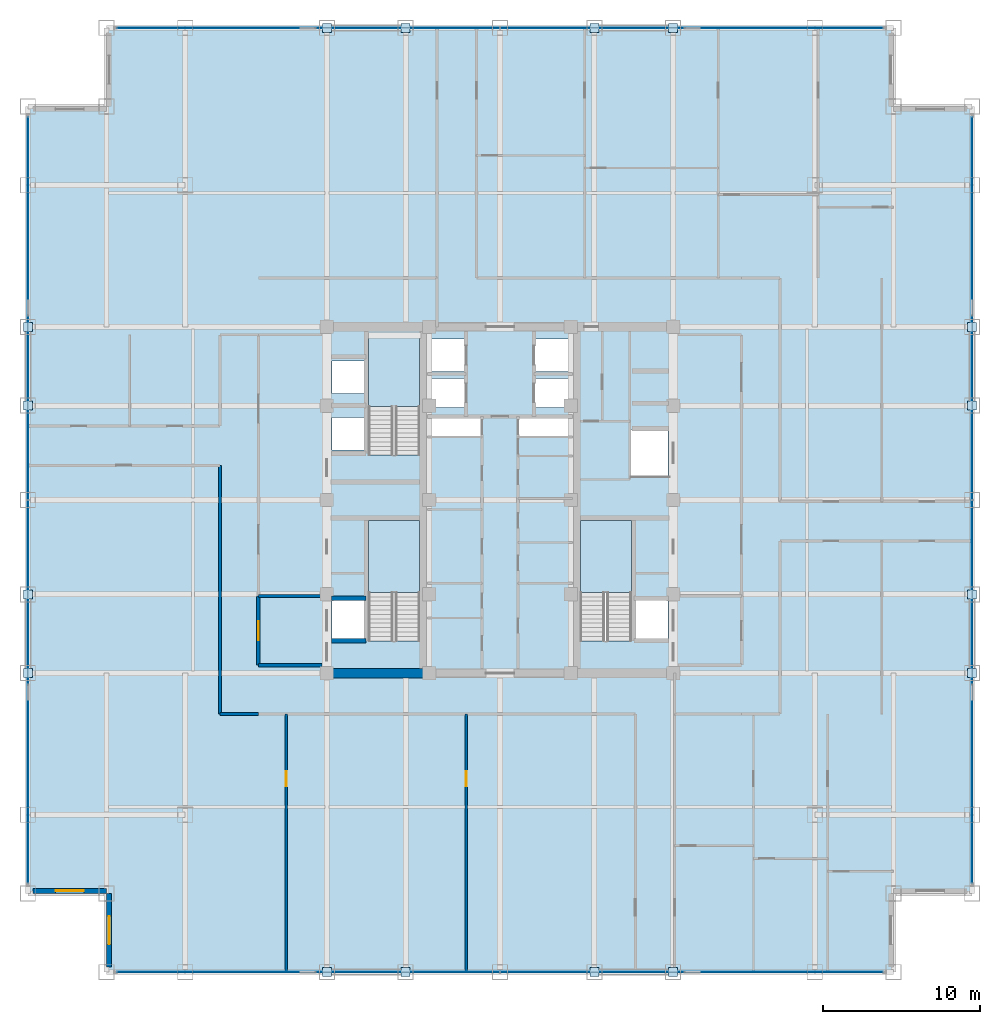
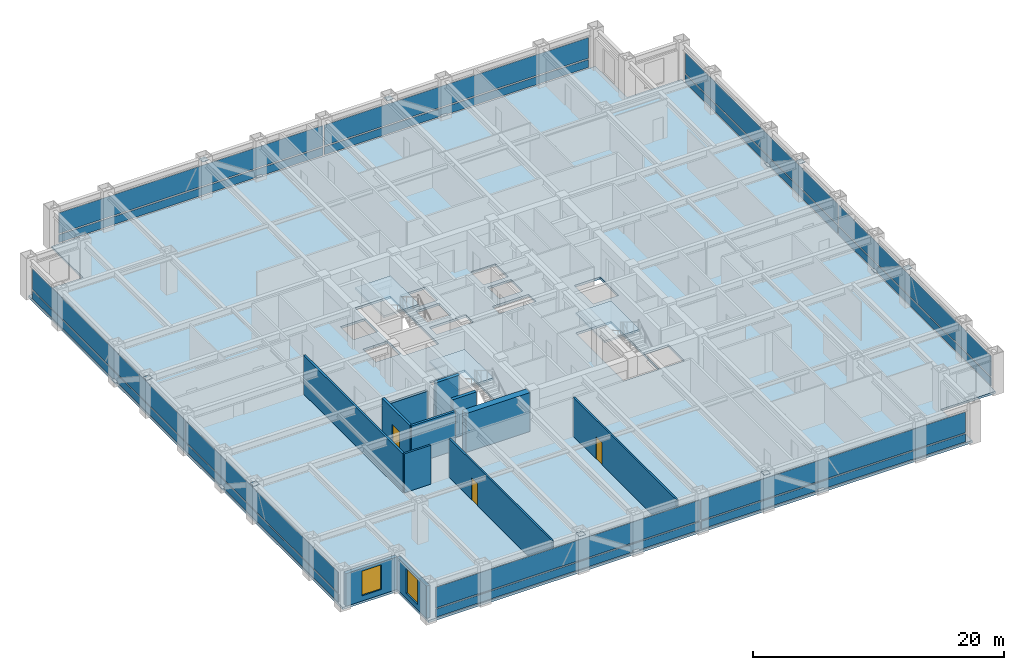
# One storey, part 19 of 25: 32 plates, 12 walls, 4 slabs, 3 doors, 2 windows, 5 openings, 7 elements without a shape of their own.
"""IFC4 building model written with IfcOpenShell, lengths in metres."""

from ifc_helpers import new_model, si_unit, direction, frame, frame_2d, origin, origin_2d, place, context, subcontext, project, spatial, polyline, rectangle, outline, extrude, source, transform, mapped, material, layer, layer_set, type_object, element, fill, aggregate, save


model = new_model("IFC4")

# Units and contexts
model_context = context("Model", 3, precision=1e-05, world=origin(), true_north=direction((0.0, 1.0)))
body_context = subcontext(model_context, "Body", "Model", "MODEL_VIEW")
ifc_project = project(units=[si_unit("LENGTHUNIT", "METRE"), si_unit("AREAUNIT", "SQUARE_METRE"), si_unit("VOLUMEUNIT", "CUBIC_METRE"), si_unit("PLANEANGLEUNIT", "RADIAN"), si_unit("MASSUNIT", "GRAM", prefix="KILO")], contexts=[model_context])

# Site, building, storey
site_placement = place(None, origin())
site = spatial("IfcSite", under=ifc_project, at=site_placement, CompositionType="ELEMENT")
building_placement = place(site_placement, origin())
building = spatial("IfcBuilding", under=site, at=building_placement, Name="Khorayat Bourse Tower", CompositionType="ELEMENT")
storey_placement = place(building_placement, frame((0.0, 0.0, 247.10009765625)))
storey = spatial("IfcBuildingStorey", under=building, at=storey_placement, Name="L58", CompositionType="ELEMENT", Elevation=247.10009765625)

# Stair, slab
ifc_material_1 = material(Name="Concrete C40/50", Category="concrete")
stair_type = type_object("IfcStairType", Name="STR-CORE-1550", PredefinedType="HALF_TURN_STAIR", material=ifc_material_1)
stair_1_placement = place(storey_placement, origin())
stair_1 = element("IfcStair", 1, at=stair_1_placement, inside=storey, type_object=stair_type, Name="L58 Exit Stair ST-1", PredefinedType="HALF_TURN_STAIR")
ifc_layer_1 = layer(ifc_material_1, 0.199951171875)
ifc_layer_set_1 = layer_set([ifc_layer_1], Name="Concrete C40/50")
slab_type_1 = type_object("IfcSlabType", Name="SLB-LANDING-200", PredefinedType="LANDING", material=ifc_layer_set_1)
slab_1_placement = place(storey_placement, frame((0.0, 0.0, 1.7998046875)))
slab_1 = element("IfcSlab", 2, at=slab_1_placement, type_object=slab_type_1, Name="ST-1 landing 1", PredefinedType="LANDING", context=body_context, shape_type="SweptSolid", body=[
    extrude(outline(polyline([(-5.10009765625, -5.8701171875), (-5.10009765625, -1.300048828125), (-8.35009765625, -1.300048828125), (-8.35009765625, -5.8701171875), (-5.10009765625, -5.8701171875)])), origin(), (0.0, 0.0, 1.0), 0.2001953125),
])
aggregate(stair_1, [slab_1])

stair_2_placement = place(storey_placement, origin())
stair_2 = element("IfcStair", 3, at=stair_2_placement, inside=storey, type_object=stair_type, Name="L58 Exit Stair ST-2", PredefinedType="HALF_TURN_STAIR")
slab_2_placement = place(storey_placement, frame((0.0, 0.0, 1.7998046875)))
slab_2 = element("IfcSlab", 4, at=slab_2_placement, type_object=slab_type_1, Name="ST-2 landing 1", PredefinedType="LANDING", context=body_context, shape_type="SweptSolid", body=[
    extrude(outline(polyline([(-5.10009765625, 5.929931640625), (-5.10009765625, 10.5), (-8.35009765625, 10.5), (-8.35009765625, 5.929931640625), (-5.10009765625, 5.929931640625)])), origin(), (0.0, 0.0, 1.0), 0.2001953125),
])
aggregate(stair_2, [slab_2])

stair_3_placement = place(storey_placement, origin())
stair_3 = element("IfcStair", 5, at=stair_3_placement, inside=storey, type_object=stair_type, Name="L58 Exit Stair ST-3", PredefinedType="HALF_TURN_STAIR")
slab_3_placement = place(storey_placement, frame((0.0, 0.0, 1.7998046875)))
slab_3 = element("IfcSlab", 6, at=slab_3_placement, type_object=slab_type_1, Name="ST-3 landing 1", PredefinedType="LANDING", context=body_context, shape_type="SweptSolid", body=[
    extrude(outline(polyline([(8.35009765625, -5.8701171875), (8.35009765625, -1.300048828125), (5.10009765625, -1.300048828125), (5.10009765625, -5.8701171875), (8.35009765625, -5.8701171875)])), origin(), (0.0, 0.0, 1.0), 0.2001953125),
])
aggregate(stair_3, [slab_3])

# Slab
ifc_layer_2 = layer(ifc_material_1, 0.219970703125)
ifc_layer_set_2 = layer_set([ifc_layer_2], Name="Concrete C40/50")
slab_type_2 = type_object("IfcSlabType", Name="SLB-OFFICE-220", PredefinedType="FLOOR", material=ifc_layer_set_2)
slab_4_placement = place(storey_placement, frame((0.0, 0.0, -0.22021484375)))
element("IfcSlab", 7, at=slab_4_placement, inside=storey, type_object=slab_type_2, Name="L58 Main Floor Slab", PredefinedType="FLOOR", context=body_context, shape_type="SweptSolid", body=[
    extrude(outline(polyline([(-25.0, -30.0), (25.0, -30.0), (25.0, -25.0), (30.0, -25.0), (30.0, 25.0), (25.0, 25.0), (25.0, 30.0), (-25.0, 30.0), (-25.0, 25.0), (-30.0, 25.0), (-30.0, -25.0), (-25.0, -25.0), (-25.0, -30.0)]), holes=[polyline([(-8.35009765625, -8.945068359375), (-5.10009765625, -8.945068359375), (-5.10009765625, -1.300048828125), (-8.35009765625, -1.300048828125), (-8.35009765625, -8.945068359375)]), polyline([(-8.35009765625, 2.85498046875), (-5.10009765625, 2.85498046875), (-5.10009765625, 10.5), (-8.35009765625, 10.5), (-8.35009765625, 2.85498046875)]), polyline([(5.10009765625, -8.945068359375), (8.35009765625, -8.945068359375), (8.35009765625, -1.300048828125), (5.10009765625, -1.300048828125), (5.10009765625, -8.945068359375)]), polyline([(-4.3798828125, 8.169921875), (-2.1201171875, 8.169921875), (-2.1201171875, 10.22998046875), (-4.3798828125, 10.22998046875), (-4.3798828125, 8.169921875)]), polyline([(2.1201171875, 8.169921875), (4.3798828125, 8.169921875), (4.3798828125, 10.22998046875), (2.1201171875, 10.22998046875), (2.1201171875, 8.169921875)]), polyline([(-4.3798828125, 5.8701171875), (-2.219970703125, 5.8701171875), (-2.219970703125, 7.72998046875), (-4.3798828125, 7.72998046875), (-4.3798828125, 5.8701171875)]), polyline([(2.219970703125, 5.8701171875), (4.3798828125, 5.8701171875), (4.3798828125, 7.72998046875), (2.219970703125, 7.72998046875), (2.219970703125, 5.8701171875)]), polyline([(-10.679931640625, 3.169921875), (-8.419921875, 3.169921875), (-8.419921875, 5.22998046875), (-10.679931640625, 5.22998046875), (-10.679931640625, 3.169921875)]), polyline([(-10.679931640625, 6.77001953125), (-8.419921875, 6.77001953125), (-8.419921875, 8.830078125), (-10.679931640625, 8.830078125), (-10.679931640625, 6.77001953125)]), polyline([(-10.679931640625, -8.929931640625), (-8.419921875, -8.929931640625), (-8.419921875, -6.3701171875), (-10.679931640625, -6.3701171875), (-10.679931640625, -8.929931640625)]), polyline([(8.419921875, -8.929931640625), (10.679931640625, -8.929931640625), (10.679931640625, -6.3701171875), (8.419921875, -6.3701171875), (8.419921875, -8.929931640625)]), polyline([(8.320068359375, 1.52001953125), (10.679931640625, 1.52001953125), (10.679931640625, 4.47998046875), (8.320068359375, 4.47998046875), (8.320068359375, 1.52001953125)]), polyline([(-4.56005859375, 4.080078125), (-1.18994140625, 4.080078125), (-1.18994140625, 5.219970703125), (-4.56005859375, 5.219970703125), (-4.56005859375, 4.080078125)]), polyline([(1.18994140625, 4.080078125), (4.56005859375, 4.080078125), (4.56005859375, 5.219970703125), (1.18994140625, 5.219970703125), (1.18994140625, 4.080078125)])]), origin(), (0.0, 0.0, 1.0), 0.22021484375),
])

# Plates
ifc_material_2 = material(Name="Steel EN 10025-2 S355J2", Category="steel")
ifc_layer_3 = layer(ifc_material_2, 0.02490234375)
ifc_layer_set_3 = layer_set([ifc_layer_3], Name="Steel EN 10025-2 S355J2")
plate_type_1 = type_object("IfcPlateType", Name="PLT-ENDCAP-25", PredefinedType="SHEET", material=ifc_layer_set_3)
shared_shape_1 = source(origin(), body_context, "Body", "SweptSolid", [
    extrude(rectangle(XDim=0.56005859375, YDim=0.56005859375, at=origin_2d()), origin(), (0.0, 0.0, 1.0), 0.02490234375),
])
for number, where, z_axis, x_axis, name in (
    (8, (-11.0, -30.0, 3.517333984375), (0.0, 0.0, 1.0), (1.0, 0.0, 0.0), "L58 Perimeter Brace End Plate 001"),
    (9, (-6.0, -30.0, 0.237548828125), (0.0, 0.0, 1.0), (1.0, 0.0, 0.0), "L58 Perimeter Brace End Plate 002"),
    (10, (6.0, -30.0, 3.517333984375), (0.0, 0.0, 1.0), (1.0, 0.0, 0.0), "L58 Perimeter Brace End Plate 003"),
    (11, (11.0, -30.0, 0.237548828125), (0.0, 0.0, 1.0), (1.0, 0.0, 0.0), "L58 Perimeter Brace End Plate 004"),
    (12, (-11.0, 30.0, 3.517333984375), (0.0, 0.0, 1.0), (1.0, 0.0, 0.0), "L58 Perimeter Brace End Plate 005"),
    (13, (-6.0, 30.0, 0.237548828125), (0.0, 0.0, 1.0), (1.0, 0.0, 0.0), "L58 Perimeter Brace End Plate 006"),
    (14, (6.0, 30.0, 3.517333984375), (0.0, 0.0, 1.0), (1.0, 0.0, 0.0), "L58 Perimeter Brace End Plate 007"),
    (15, (11.0, 30.0, 0.237548828125), (0.0, 0.0, 1.0), (1.0, 0.0, 0.0), "L58 Perimeter Brace End Plate 008"),
    (16, (-30.0, -11.0, 3.517333984375), (0.0, 0.0, 1.0), (1.0, 0.0, 0.0), "L58 Perimeter Brace End Plate 009"),
    (17, (-30.0, -6.0, 0.237548828125), (0.0, 0.0, 1.0), (1.0, 0.0, 0.0), "L58 Perimeter Brace End Plate 010"),
    (18, (-30.0, 6.0, 3.517333984375), (0.0, 0.0, 1.0), (1.0, 0.0, 0.0), "L58 Perimeter Brace End Plate 011"),
    (19, (-30.0, 11.0, 0.237548828125), (0.0, 0.0, 1.0), (1.0, 0.0, 0.0), "L58 Perimeter Brace End Plate 012"),
    (20, (30.0, -11.0, 3.517333984375), (0.0, 0.0, 1.0), (1.0, 0.0, 0.0), "L58 Perimeter Brace End Plate 013"),
    (21, (30.0, -6.0, 0.237548828125), (0.0, 0.0, 1.0), (1.0, 0.0, 0.0), "L58 Perimeter Brace End Plate 014"),
    (22, (30.0, 6.0, 3.517333984375), (0.0, 0.0, 1.0), (1.0, 0.0, 0.0), "L58 Perimeter Brace End Plate 015"),
    (23, (30.0, 11.0, 0.237548828125), (0.0, 0.0, 1.0), (1.0, 0.0, 0.0), "L58 Perimeter Brace End Plate 016"),
):
    element("IfcPlate", number, at=place(storey_placement, frame(where, z_axis=z_axis, x_axis=x_axis)), inside=storey, type_object=plate_type_1, Name=name, PredefinedType="SHEET", context=body_context, shape_type="MappedRepresentation", body=[
        mapped(shared_shape_1, transform((0.0, 0.0, 0.0), scale=1.0)),
    ])

# Curtain wall, plates
ifc_material_3 = material(Name="Aluminium EN AW-6063 T6", Category="aluminium")
curtain_wall_type = type_object("IfcCurtainWallType", Name="CW-SYS-03", PredefinedType="NOTDEFINED", material=ifc_material_3)
curtain_wall_1_placement = place(storey_placement, origin())
curtain_wall_1 = element("IfcCurtainWall", 24, at=curtain_wall_1_placement, inside=storey, type_object=curtain_wall_type, Name="L58 Curtain Wall CW-L58-S1", PredefinedType="NOTDEFINED")
ifc_material_4 = material(Name="Honed desert limestone insulated spandrel", Category="masonry")
ifc_layer_4 = layer(ifc_material_4, 0.06494140625)
ifc_layer_set_4 = layer_set([ifc_layer_4], Name="Honed desert limestone insulated spandrel")
plate_type_2 = type_object("IfcPlateType", Name="CWP-SPAND-03", PredefinedType="CURTAIN_PANEL", material=ifc_layer_set_4)
shared_shape_2 = source(origin(), body_context, "Body", "SweptSolid", [
    extrude(rectangle(XDim=24.27001953125, YDim=0.06494140625, at=origin_2d()), origin(), (0.0, 0.0, 1.0), 0.77001953125),
])
plate_1_placement = place(storey_placement, frame((-12.195068359375, -30.0, 0.119873046875), z_axis=(0.0, 0.0, 1.0), x_axis=(1.0, 0.0, 0.0)))
plate_1 = element("IfcPlate", 25, at=plate_1_placement, type_object=plate_type_2, Name="CW-L58-S1 Spandrel Panel 1-1", PredefinedType="CURTAIN_PANEL", context=body_context, shape_type="MappedRepresentation", body=[
    mapped(shared_shape_2, transform((0.0, 0.0, 0.0), scale=1.0)),
])
plate_2_placement = place(storey_placement, frame((12.195068359375, -30.0, 0.119873046875), z_axis=(0.0, 0.0, 1.0), x_axis=(1.0, 0.0, 0.0)))
plate_2 = element("IfcPlate", 26, at=plate_2_placement, type_object=plate_type_2, Name="CW-L58-S1 Spandrel Panel 2-1", PredefinedType="CURTAIN_PANEL", context=body_context, shape_type="MappedRepresentation", body=[
    mapped(shared_shape_2, transform((0.0, 0.0, 0.0), scale=1.0)),
])

curtain_wall_2_placement = place(storey_placement, origin())
curtain_wall_2 = element("IfcCurtainWall", 27, at=curtain_wall_2_placement, inside=storey, type_object=curtain_wall_type, Name="L58 Curtain Wall CW-L58-N1", PredefinedType="NOTDEFINED")
plate_3_placement = place(storey_placement, frame((-12.195068359375, 30.0, 0.119873046875), z_axis=(0.0, 0.0, 1.0), x_axis=(1.0, 0.0, 0.0)))
plate_3 = element("IfcPlate", 28, at=plate_3_placement, type_object=plate_type_2, Name="CW-L58-N1 Spandrel Panel 1-1", PredefinedType="CURTAIN_PANEL", context=body_context, shape_type="MappedRepresentation", body=[
    mapped(shared_shape_2, transform((0.0, 0.0, 0.0), scale=1.0)),
])
plate_4_placement = place(storey_placement, frame((12.195068359375, 30.0, 0.119873046875), z_axis=(0.0, 0.0, 1.0), x_axis=(1.0, 0.0, 0.0)))
plate_4 = element("IfcPlate", 29, at=plate_4_placement, type_object=plate_type_2, Name="CW-L58-N1 Spandrel Panel 2-1", PredefinedType="CURTAIN_PANEL", context=body_context, shape_type="MappedRepresentation", body=[
    mapped(shared_shape_2, transform((0.0, 0.0, 0.0), scale=1.0)),
])

curtain_wall_3_placement = place(storey_placement, origin())
curtain_wall_3 = element("IfcCurtainWall", 30, at=curtain_wall_3_placement, inside=storey, type_object=curtain_wall_type, Name="L58 Curtain Wall CW-L58-W1", PredefinedType="NOTDEFINED")
plate_5_placement = place(storey_placement, frame((-30.0, -12.195068359375, 0.119873046875), z_axis=(0.0, 0.0, 1.0), x_axis=(0.0, 1.0, 0.0)))
plate_5 = element("IfcPlate", 31, at=plate_5_placement, type_object=plate_type_2, Name="CW-L58-W1 Spandrel Panel 1-1", PredefinedType="CURTAIN_PANEL", context=body_context, shape_type="MappedRepresentation", body=[
    mapped(shared_shape_2, transform((0.0, 0.0, 0.0), scale=1.0)),
])
plate_6_placement = place(storey_placement, frame((-30.0, 12.195068359375, 0.119873046875), z_axis=(0.0, 0.0, 1.0), x_axis=(0.0, 1.0, 0.0)))
plate_6 = element("IfcPlate", 32, at=plate_6_placement, type_object=plate_type_2, Name="CW-L58-W1 Spandrel Panel 2-1", PredefinedType="CURTAIN_PANEL", context=body_context, shape_type="MappedRepresentation", body=[
    mapped(shared_shape_2, transform((0.0, 0.0, 0.0), scale=1.0)),
])

curtain_wall_4_placement = place(storey_placement, origin())
curtain_wall_4 = element("IfcCurtainWall", 33, at=curtain_wall_4_placement, inside=storey, type_object=curtain_wall_type, Name="L58 Curtain Wall CW-L58-E1", PredefinedType="NOTDEFINED")
plate_7_placement = place(storey_placement, frame((30.0, -12.195068359375, 0.119873046875), z_axis=(0.0, 0.0, 1.0), x_axis=(0.0, 1.0, 0.0)))
plate_7 = element("IfcPlate", 34, at=plate_7_placement, type_object=plate_type_2, Name="CW-L58-E1 Spandrel Panel 1-1", PredefinedType="CURTAIN_PANEL", context=body_context, shape_type="MappedRepresentation", body=[
    mapped(shared_shape_2, transform((0.0, 0.0, 0.0), scale=1.0)),
])
plate_8_placement = place(storey_placement, frame((30.0, 12.195068359375, 0.119873046875), z_axis=(0.0, 0.0, 1.0), x_axis=(0.0, 1.0, 0.0)))
plate_8 = element("IfcPlate", 35, at=plate_8_placement, type_object=plate_type_2, Name="CW-L58-E1 Spandrel Panel 2-1", PredefinedType="CURTAIN_PANEL", context=body_context, shape_type="MappedRepresentation", body=[
    mapped(shared_shape_2, transform((0.0, 0.0, 0.0), scale=1.0)),
])

# Plate
ifc_material_5 = material(Name="Low-E solar-control laminated double glazing", Category="glass")
ifc_layer_5 = layer(ifc_material_5, 0.035888671875)
ifc_layer_set_5 = layer_set([ifc_layer_5], Name="Low-E solar-control laminated double glazing")
plate_type_3 = type_object("IfcPlateType", Name="CWP-VIS-01", PredefinedType="CURTAIN_PANEL", material=ifc_layer_set_5)
shared_shape_3 = source(origin(), body_context, "Body", "SweptSolid", [
    extrude(rectangle(XDim=24.27001953125, YDim=0.035888671875, at=origin_2d()), origin(), (0.0, 0.0, 1.0), 2.0),
])
plate_9_placement = place(storey_placement, frame((-12.195068359375, -30.0, 1.010009765625), z_axis=(0.0, 0.0, 1.0), x_axis=(1.0, 0.0, 0.0)))
plate_9 = element("IfcPlate", 36, at=plate_9_placement, type_object=plate_type_3, Name="CW-L58-S1 Vision Panel 1-2", PredefinedType="CURTAIN_PANEL", context=body_context, shape_type="MappedRepresentation", body=[
    mapped(shared_shape_3, transform((0.0, 0.0, 0.0), scale=1.0)),
])

plate_10_placement = place(storey_placement, frame((12.195068359375, -30.0, 1.010009765625), z_axis=(0.0, 0.0, 1.0), x_axis=(1.0, 0.0, 0.0)))
plate_10 = element("IfcPlate", 37, at=plate_10_placement, type_object=plate_type_3, Name="CW-L58-S1 Vision Panel 2-2", PredefinedType="CURTAIN_PANEL", context=body_context, shape_type="MappedRepresentation", body=[
    mapped(shared_shape_3, transform((0.0, 0.0, 0.0), scale=1.0)),
])

aggregate(curtain_wall_1, [plate_1, plate_9, plate_2, plate_10])

plate_11_placement = place(storey_placement, frame((-12.195068359375, 30.0, 1.010009765625), z_axis=(0.0, 0.0, 1.0), x_axis=(1.0, 0.0, 0.0)))
plate_11 = element("IfcPlate", 38, at=plate_11_placement, type_object=plate_type_3, Name="CW-L58-N1 Vision Panel 1-2", PredefinedType="CURTAIN_PANEL", context=body_context, shape_type="MappedRepresentation", body=[
    mapped(shared_shape_3, transform((0.0, 0.0, 0.0), scale=1.0)),
])

plate_12_placement = place(storey_placement, frame((12.195068359375, 30.0, 1.010009765625), z_axis=(0.0, 0.0, 1.0), x_axis=(1.0, 0.0, 0.0)))
plate_12 = element("IfcPlate", 39, at=plate_12_placement, type_object=plate_type_3, Name="CW-L58-N1 Vision Panel 2-2", PredefinedType="CURTAIN_PANEL", context=body_context, shape_type="MappedRepresentation", body=[
    mapped(shared_shape_3, transform((0.0, 0.0, 0.0), scale=1.0)),
])

aggregate(curtain_wall_2, [plate_3, plate_11, plate_4, plate_12])

plate_13_placement = place(storey_placement, frame((-30.0, -12.195068359375, 1.010009765625), z_axis=(0.0, 0.0, 1.0), x_axis=(0.0, 1.0, 0.0)))
plate_13 = element("IfcPlate", 40, at=plate_13_placement, type_object=plate_type_3, Name="CW-L58-W1 Vision Panel 1-2", PredefinedType="CURTAIN_PANEL", context=body_context, shape_type="MappedRepresentation", body=[
    mapped(shared_shape_3, transform((0.0, 0.0, 0.0), scale=1.0)),
])

plate_14_placement = place(storey_placement, frame((-30.0, 12.195068359375, 1.010009765625), z_axis=(0.0, 0.0, 1.0), x_axis=(0.0, 1.0, 0.0)))
plate_14 = element("IfcPlate", 41, at=plate_14_placement, type_object=plate_type_3, Name="CW-L58-W1 Vision Panel 2-2", PredefinedType="CURTAIN_PANEL", context=body_context, shape_type="MappedRepresentation", body=[
    mapped(shared_shape_3, transform((0.0, 0.0, 0.0), scale=1.0)),
])

aggregate(curtain_wall_3, [plate_5, plate_13, plate_6, plate_14])

plate_15_placement = place(storey_placement, frame((30.0, -12.195068359375, 1.010009765625), z_axis=(0.0, 0.0, 1.0), x_axis=(0.0, 1.0, 0.0)))
plate_15 = element("IfcPlate", 42, at=plate_15_placement, type_object=plate_type_3, Name="CW-L58-E1 Vision Panel 1-2", PredefinedType="CURTAIN_PANEL", context=body_context, shape_type="MappedRepresentation", body=[
    mapped(shared_shape_3, transform((0.0, 0.0, 0.0), scale=1.0)),
])

plate_16_placement = place(storey_placement, frame((30.0, 12.195068359375, 1.010009765625), z_axis=(0.0, 0.0, 1.0), x_axis=(0.0, 1.0, 0.0)))
plate_16 = element("IfcPlate", 43, at=plate_16_placement, type_object=plate_type_3, Name="CW-L58-E1 Vision Panel 2-2", PredefinedType="CURTAIN_PANEL", context=body_context, shape_type="MappedRepresentation", body=[
    mapped(shared_shape_3, transform((0.0, 0.0, 0.0), scale=1.0)),
])

aggregate(curtain_wall_4, [plate_7, plate_15, plate_8, plate_16])

# Wall
ifc_material_6 = material(Name="Concrete C60/75", Category="concrete")
ifc_layer_6 = layer(ifc_material_6, 0.60009765625)
ifc_layer_set_6 = layer_set([ifc_layer_6], Name="Concrete C60/75")
wall_type_1 = type_object("IfcWallType", Name="WAL-CORE-600", PredefinedType="SHEAR", material=ifc_layer_set_6)
shared_shape_4 = source(origin(), body_context, "Body", "SweptSolid", [
    extrude(rectangle(XDim=5.89990234375, YDim=0.60009765625, at=frame_2d((2.949951171875, 0.0))), origin(), (0.0, 0.0, 1.0), 3.77978515625),
])
wall_1_placement = place(storey_placement, frame((-10.75, -11.0, 0.0), z_axis=(0.0, 0.0, 1.0), x_axis=(1.0, 0.0, 0.0)))
element("IfcWall", 44, at=wall_1_placement, inside=storey, type_object=wall_type_1, Name="L58 Core Shear Wall PIER-WS", PredefinedType="SHEAR", context=body_context, shape_type="MappedRepresentation", body=[
    mapped(shared_shape_4, transform((0.0, 0.0, 0.0), scale=1.0)),
])

# Wall, opening, window
ifc_material_7 = material(Name="Precast concrete C45/55", Category="concrete")
ifc_layer_7 = layer(ifc_material_7, 0.320068359375)
ifc_layer_set_7 = layer_set([ifc_layer_7], Name="Precast concrete C45/55")
wall_type_2 = type_object("IfcWallType", Name="WAL-EXT-STONE-320", PredefinedType="STANDARD", material=ifc_layer_set_7)
shared_shape_5 = source(origin(), body_context, "Body", "SweptSolid", [
    extrude(rectangle(XDim=4.679931640625, YDim=0.320068359375, at=frame_2d((2.33984375, 0.0))), origin(), (0.0, 0.0, 1.0), 3.163818359375),
])
wall_2_placement = place(storey_placement, frame((-25.0, -24.840087890625, 0.0), z_axis=(0.0, 0.0, 1.0), x_axis=(-1.0, 0.0, 0.0)))
wall_2 = element("IfcWall", 45, at=wall_2_placement, inside=storey, type_object=wall_type_2, Name="L58 Re-Entrant Notch Limestone Wall SW-H", PredefinedType="STANDARD", context=body_context, shape_type="MappedRepresentation", body=[
    mapped(shared_shape_5, transform((0.0, 0.0, 0.0), scale=1.0)),
])
shared_shape_6 = source(origin(), body_context, "Body", "SweptSolid", [
    extrude(rectangle(XDim=1.800048828125, YDim=2.39990234375, at=frame_2d((0.89990234375, 1.199951171875))), frame((0.0, 0.169921875, 0.0), z_axis=(0.0, -1.0, 0.0), x_axis=(1.0, 0.0, 0.0)), (0.0, 0.0, 1.0), 0.340087890625),
])
opening_1_placement = place(wall_2_placement, frame((1.43994140625, 0.0, 0.5)))
opening_1 = element("IfcOpeningElement", 46, at=opening_1_placement, cuts=wall_2, Name="Opening WN-04", PredefinedType="OPENING", context=body_context, shape_type="MappedRepresentation", body=[
    mapped(shared_shape_6, transform((0.0, 0.0, 0.0), scale=1.0)),
])
ifc_material_8 = material(Name="Low-E acoustic laminated double glazing", Category="glass")
window_type = type_object("IfcWindowType", Name="WIN-NOTCH-1800x2400", PartitioningType="SINGLE_PANEL", PredefinedType="WINDOW", material=ifc_material_8)
shared_shape_7 = source(origin(), body_context, "Body", "SweptSolid", [
    extrude(rectangle(XDim=1.800048828125, YDim=2.39990234375, at=frame_2d((0.89990234375, 1.199951171875))), frame((0.0, 0.030029296875, 0.0), z_axis=(0.0, -1.0, 0.0), x_axis=(1.0, 0.0, 0.0)), (0.0, 0.0, 1.0), 0.06005859375),
])
window_1_placement = place(opening_1_placement, origin())
window_1 = element("IfcWindow", 47, at=window_1_placement, inside=storey, type_object=window_type, Name="L58 Facade Window 1", OverallHeight=2.39990234375, OverallWidth=1.800048828125, PartitioningType="SINGLE_PANEL", PredefinedType="WINDOW", context=body_context, shape_type="MappedRepresentation", body=[
    mapped(shared_shape_7, transform((0.0, 0.0, 0.0), scale=1.0)),
])
fill(opening_1, window_1)

wall_3_placement = place(storey_placement, frame((-24.840087890625, -29.679931640625, 0.0), z_axis=(0.0, 0.0, 1.0), x_axis=(0.0, 1.0, 0.0)))
wall_3 = element("IfcWall", 48, at=wall_3_placement, inside=storey, type_object=wall_type_2, Name="L58 Re-Entrant Notch Limestone Wall SW-V", PredefinedType="STANDARD", context=body_context, shape_type="MappedRepresentation", body=[
    mapped(shared_shape_5, transform((0.0, 0.0, 0.0), scale=1.0)),
])
opening_2_placement = place(wall_3_placement, frame((1.43994140625, 0.0, 0.5)))
opening_2 = element("IfcOpeningElement", 49, at=opening_2_placement, cuts=wall_3, Name="Opening WN-04", PredefinedType="OPENING", context=body_context, shape_type="MappedRepresentation", body=[
    mapped(shared_shape_6, transform((0.0, 0.0, 0.0), scale=1.0)),
])
window_2_placement = place(opening_2_placement, origin())
window_2 = element("IfcWindow", 50, at=window_2_placement, inside=storey, type_object=window_type, Name="L58 Facade Window 1", OverallHeight=2.39990234375, OverallWidth=1.800048828125, PartitioningType="SINGLE_PANEL", PredefinedType="WINDOW", context=body_context, shape_type="MappedRepresentation", body=[
    mapped(shared_shape_7, transform((0.0, 0.0, 0.0), scale=1.0)),
])
fill(opening_2, window_2)

# Walls
ifc_material_9 = material(Name="Aerated concrete blockwork", Category="masonry")
ifc_layer_8 = layer(ifc_material_9, 0.219970703125)
ifc_layer_set_8 = layer_set([ifc_layer_8], Name="Aerated concrete blockwork")
wall_type_3 = type_object("IfcWallType", Name="WAL-PART-FF-220", PredefinedType="PARTITIONING", material=ifc_layer_set_8)
shared_shape_8 = source(origin(), body_context, "Body", "SweptSolid", [
    extrude(rectangle(XDim=4.050048828125, YDim=0.219970703125, at=frame_2d((2.02490234375, 0.0))), origin(), (0.0, 0.0, 1.0), 3.0849609375),
])
wall_4_placement = place(storey_placement, frame((-15.35009765625, -6.10009765625, 0.0), z_axis=(0.0, 0.0, 1.0), x_axis=(1.0, 0.0, 0.0)))
element("IfcWall", 51, at=wall_4_placement, inside=storey, type_object=wall_type_3, Name="L58 Partition WAL-L58-FFLW-N", PredefinedType="PARTITIONING", context=body_context, shape_type="MappedRepresentation", body=[
    mapped(shared_shape_8, transform((0.0, 0.0, 0.0), scale=1.0)),
])
ifc_material_10 = material(Name="Concrete C50/60", Category="concrete")
ifc_layer_9 = layer(ifc_material_10, 0.300048828125)
ifc_layer_set_9 = layer_set([ifc_layer_9], Name="Concrete C50/60")
wall_type_4 = type_object("IfcWallType", Name="WAL-SHAFT-300", PredefinedType="SHEAR", material=ifc_layer_set_9)
shared_shape_9 = source(origin(), body_context, "Body", "SweptSolid", [
    extrude(rectangle(XDim=2.199951171875, YDim=0.300048828125, at=frame_2d((1.10009765625, 0.0))), origin(), (0.0, 0.0, 1.0), 3.77978515625),
])
for number, where, z_axis, x_axis, name in (
    (52, (-10.699951171875, -8.949951171875, 0.0), (0.0, 0.0, 1.0), (1.0, 0.0, 0.0), "L58 Partition WAL-L58-WPIER-FF1S"),
    (53, (-10.699951171875, -6.25, 0.0), (0.0, 0.0, 1.0), (1.0, 0.0, 0.0), "L58 Partition WAL-L58-WPIER-FF1N"),
):
    element("IfcWall", number, at=place(storey_placement, frame(where, z_axis=z_axis, x_axis=x_axis)), inside=storey, type_object=wall_type_4, Name=name, PredefinedType="SHEAR", context=body_context, shape_type="MappedRepresentation", body=[
        mapped(shared_shape_9, transform((0.0, 0.0, 0.0), scale=1.0)),
    ])
shared_shape_10 = source(origin(), body_context, "Body", "SweptSolid", [
    extrude(rectangle(XDim=4.050048828125, YDim=0.219970703125, at=frame_2d((2.02490234375, 0.0))), origin(), (0.0, 0.0, 1.0), 3.77978515625),
])
wall_5_placement = place(storey_placement, frame((-15.35009765625, -10.5, 0.0), z_axis=(0.0, 0.0, 1.0), x_axis=(1.0, 0.0, 0.0)))
element("IfcWall", 54, at=wall_5_placement, inside=storey, type_object=wall_type_3, Name="L58 Partition WAL-L58-FFLW-S", PredefinedType="PARTITIONING", context=body_context, shape_type="MappedRepresentation", body=[
    mapped(shared_shape_10, transform((0.0, 0.0, 0.0), scale=1.0)),
])

# Wall, opening, door
shared_shape_11 = source(origin(), body_context, "Body", "SweptSolid", [
    extrude(rectangle(XDim=4.39990234375, YDim=0.219970703125, at=frame_2d((2.199951171875, 0.0))), origin(), (0.0, 0.0, 1.0), 3.77978515625),
])
wall_6_placement = place(storey_placement, frame((-15.35009765625, -10.5, 0.0), z_axis=(0.0, 0.0, 1.0), x_axis=(0.0, 1.0, 0.0)))
wall_6 = element("IfcWall", 55, at=wall_6_placement, inside=storey, type_object=wall_type_3, Name="L58 Partition WAL-L58-FFLW-W", PredefinedType="PARTITIONING", context=body_context, shape_type="MappedRepresentation", body=[
    mapped(shared_shape_11, transform((0.0, 0.0, 0.0), scale=1.0)),
])
shared_shape_12 = source(origin(), body_context, "Body", "SweptSolid", [
    extrude(rectangle(XDim=1.199951171875, YDim=2.199951171875, at=frame_2d((0.60009765625, 1.10009765625))), frame((0.0, 0.119873046875, 0.0), z_axis=(0.0, -1.0, 0.0), x_axis=(1.0, 0.0, 0.0)), (0.0, 0.0, 1.0), 0.239990234375),
])
opening_3_placement = place(wall_6_placement, frame((1.60009765625, 0.0, 0.0)))
opening_3 = element("IfcOpeningElement", 56, at=opening_3_placement, cuts=wall_6, Name="Opening DI-02", PredefinedType="OPENING", context=body_context, shape_type="MappedRepresentation", body=[
    mapped(shared_shape_12, transform((0.0, 0.0, 0.0), scale=1.0)),
])
ifc_material_11 = material(Name="Fire-rated steel double-seal leaf", Category="steel")
door_type_1 = type_object("IfcDoorType", Name="DR-INT-FFLOBBY-1200", OperationType="NOTDEFINED", PredefinedType="DOOR", material=ifc_material_11)
shared_shape_13 = source(origin(), body_context, "Body", "SweptSolid", [
    extrude(rectangle(XDim=1.199951171875, YDim=2.199951171875, at=frame_2d((0.60009765625, 1.10009765625))), frame((0.0, 0.02490234375, 0.0), z_axis=(0.0, -1.0, 0.0), x_axis=(1.0, 0.0, 0.0)), (0.0, 0.0, 1.0), 0.050048828125),
])
door_1_placement = place(opening_3_placement, origin())
door_1 = element("IfcDoor", 57, at=door_1_placement, inside=storey, type_object=door_type_1, Name="L58 West Firefighting Lobby Door", OperationType="SINGLE_SWING_LEFT", OverallHeight=2.199951171875, OverallWidth=1.199951171875, PredefinedType="DOOR", context=body_context, shape_type="MappedRepresentation", body=[
    mapped(shared_shape_13, transform((0.0, 0.0, 0.0), scale=1.0)),
])
fill(opening_3, door_1)

# Walls
ifc_material_12 = material(Name="Gypsum plasterboard acoustic stud wall")
ifc_layer_10 = layer(ifc_material_12, 0.179931640625)
ifc_layer_set_10 = layer_set([ifc_layer_10], Name="Gypsum plasterboard acoustic stud wall")
wall_type_5 = type_object("IfcWallType", Name="WAL-PART-CORR-180", PredefinedType="PARTITIONING", material=ifc_layer_set_10)
shared_shape_14 = source(origin(), body_context, "Body", "SweptSolid", [
    extrude(rectangle(XDim=2.449951171875, YDim=0.179931640625, at=frame_2d((1.22509765625, 0.0))), origin(), (0.0, 0.0, 1.0), 3.77978515625),
])
wall_7_placement = place(storey_placement, frame((-17.800048828125, -13.60009765625, 0.0), z_axis=(0.0, 0.0, 1.0), x_axis=(1.0, 0.0, 0.0)))
element("IfcWall", 58, at=wall_7_placement, inside=storey, type_object=wall_type_5, Name="L58 Partition WAL-L58-C2-WS", PredefinedType="PARTITIONING", context=body_context, shape_type="MappedRepresentation", body=[
    mapped(shared_shape_14, transform((0.0, 0.0, 0.0), scale=1.0)),
])
shared_shape_15 = source(origin(), body_context, "Body", "SweptSolid", [
    extrude(rectangle(XDim=15.800048828125, YDim=0.179931640625, at=frame_2d((7.89990234375, 0.0))), origin(), (0.0, 0.0, 1.0), 3.77978515625),
])
wall_8_placement = place(storey_placement, frame((-17.800048828125, -13.60009765625, 0.0), z_axis=(0.0, 0.0, 1.0), x_axis=(0.0, 1.0, 0.0)))
element("IfcWall", 59, at=wall_8_placement, inside=storey, type_object=wall_type_5, Name="L58 Partition WAL-L58-WS-IN", PredefinedType="PARTITIONING", context=body_context, shape_type="MappedRepresentation", body=[
    mapped(shared_shape_15, transform((0.0, 0.0, 0.0), scale=1.0)),
])

# Wall, opening, door
ifc_material_13 = material(Name="Gypsum plasterboard twin-frame partition")
ifc_layer_11 = layer(ifc_material_13, 0.14990234375)
ifc_layer_set_11 = layer_set([ifc_layer_11], Name="Gypsum plasterboard twin-frame partition")
wall_type_6 = type_object("IfcWallType", Name="WAL-PART-SUITE-150", PredefinedType="PARTITIONING", material=ifc_layer_set_11)
shared_shape_16 = source(origin(), body_context, "Body", "SweptSolid", [
    extrude(rectangle(XDim=16.39990234375, YDim=0.14990234375, at=frame_2d((8.199951171875, 0.0))), origin(), (0.0, 0.0, 1.0), 3.77978515625),
])
wall_9_placement = place(storey_placement, frame((-13.575927734375, -30.0, 0.0), z_axis=(0.0, 0.0, 1.0), x_axis=(0.0, 1.0, 0.0)))
wall_9 = element("IfcWall", 60, at=wall_9_placement, inside=storey, type_object=wall_type_6, Name="L58 Partition WAL-L58-QSWDV-1", PredefinedType="PARTITIONING", context=body_context, shape_type="MappedRepresentation", body=[
    mapped(shared_shape_16, transform((0.0, 0.0, 0.0), scale=1.0)),
])
shared_shape_17 = source(origin(), body_context, "Body", "SweptSolid", [
    extrude(rectangle(XDim=0.949951171875, YDim=2.14990234375, at=frame_2d((0.47509765625, 1.074951171875))), frame((0.0, 0.0849609375, 0.0), z_axis=(0.0, -1.0, 0.0), x_axis=(1.0, 0.0, 0.0)), (0.0, 0.0, 1.0), 0.169921875),
])
opening_4_placement = place(wall_9_placement, frame((11.824951171875, 0.0, 0.0)))
opening_4 = element("IfcOpeningElement", 61, at=opening_4_placement, cuts=wall_9, Name="Opening DI-05", PredefinedType="OPENING", context=body_context, shape_type="MappedRepresentation", body=[
    mapped(shared_shape_17, transform((0.0, 0.0, 0.0), scale=1.0)),
])
ifc_material_14 = material(Name="Acoustic oak veneer office door")
door_type_2 = type_object("IfcDoorType", Name="DR-INT-OFFICE-950", OperationType="NOTDEFINED", PredefinedType="DOOR", material=ifc_material_14)
shared_shape_18 = source(origin(), body_context, "Body", "SweptSolid", [
    extrude(rectangle(XDim=0.949951171875, YDim=2.14990234375, at=frame_2d((0.47509765625, 1.074951171875))), frame((0.0, 0.02490234375, 0.0), z_axis=(0.0, -1.0, 0.0), x_axis=(1.0, 0.0, 0.0)), (0.0, 0.0, 1.0), 0.050048828125),
])
door_2_placement = place(opening_4_placement, origin())
door_2 = element("IfcDoor", 62, at=door_2_placement, inside=storey, type_object=door_type_2, Name="L58 South-West Suite Link 1", OperationType="SINGLE_SWING_RIGHT", OverallHeight=2.14990234375, OverallWidth=0.949951171875, PredefinedType="DOOR", context=body_context, shape_type="MappedRepresentation", body=[
    mapped(shared_shape_18, transform((0.0, 0.0, 0.0), scale=1.0)),
])
fill(opening_4, door_2)

wall_10_placement = place(storey_placement, frame((-2.152099609375, -30.0, 0.0), z_axis=(0.0, 0.0, 1.0), x_axis=(0.0, 1.0, 0.0)))
wall_10 = element("IfcWall", 63, at=wall_10_placement, inside=storey, type_object=wall_type_6, Name="L58 Partition WAL-L58-QSWDV-2", PredefinedType="PARTITIONING", context=body_context, shape_type="MappedRepresentation", body=[
    mapped(shared_shape_16, transform((0.0, 0.0, 0.0), scale=1.0)),
])
opening_5_placement = place(wall_10_placement, frame((11.824951171875, 0.0, 0.0)))
opening_5 = element("IfcOpeningElement", 64, at=opening_5_placement, cuts=wall_10, Name="Opening DI-05", PredefinedType="OPENING", context=body_context, shape_type="MappedRepresentation", body=[
    mapped(shared_shape_17, transform((0.0, 0.0, 0.0), scale=1.0)),
])
door_3_placement = place(opening_5_placement, origin())
door_3 = element("IfcDoor", 65, at=door_3_placement, inside=storey, type_object=door_type_2, Name="L58 South-West Suite Link 2", OperationType="SINGLE_SWING_LEFT", OverallHeight=2.14990234375, OverallWidth=0.949951171875, PredefinedType="DOOR", context=body_context, shape_type="MappedRepresentation", body=[
    mapped(shared_shape_18, transform((0.0, 0.0, 0.0), scale=1.0)),
])
fill(opening_5, door_3)

save(model, "model.ifc")
